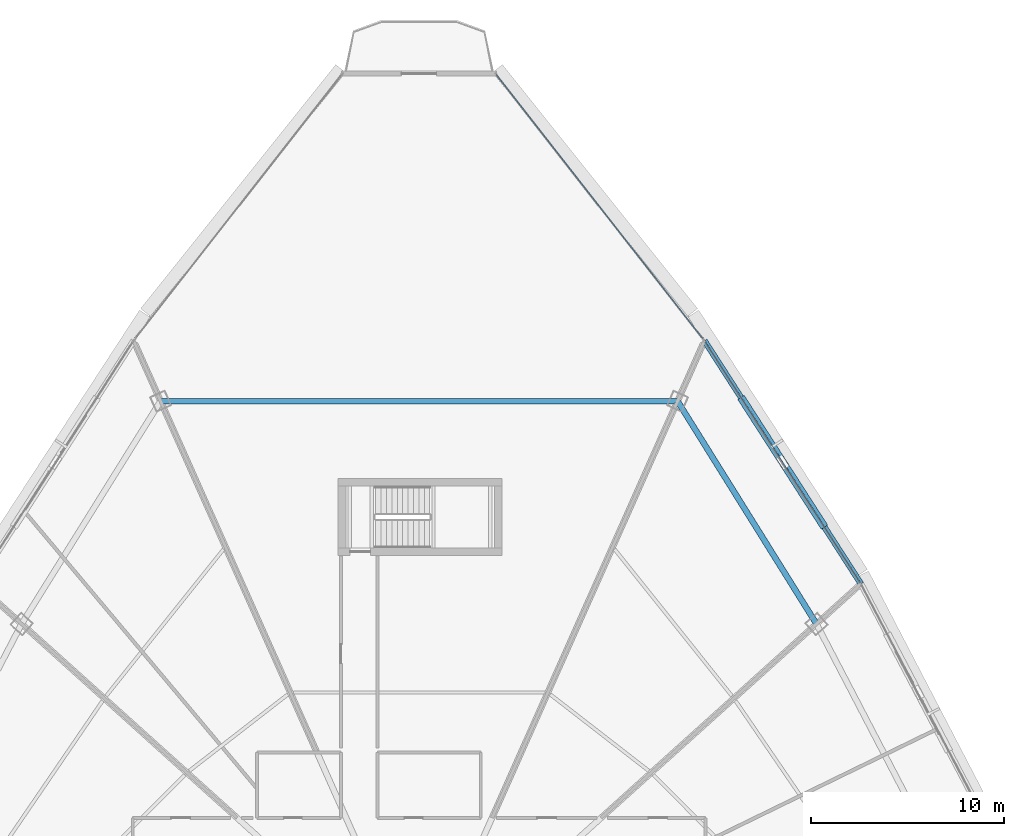
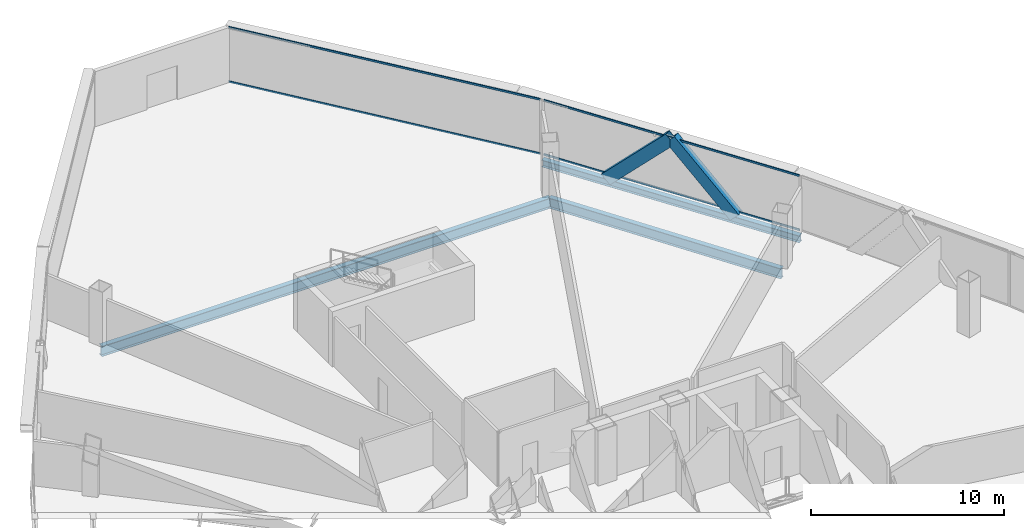
# One storey, part 19 of 34: 6 members, 3 beams, 2 elements without a shape of their own.
"""IFC4 building model written with IfcOpenShell, lengths in metres."""

from ifc_helpers import new_model, si_unit, direction, frame, origin, origin_2d, place, context, subcontext, project, spatial, hollow_rectangle, i_section, extrude, source, transform, mapped, material, layer, layer_set, material_profile, profile_set, type_object, element, aggregate, save


model = new_model("IFC4")

# Units and contexts
model_context = context("Model", 3, precision=1e-05, world=origin(), true_north=direction((0.0, 1.0)))
body_context = subcontext(model_context, "Body", "Model", "MODEL_VIEW")
ifc_project = project(units=[si_unit("LENGTHUNIT", "METRE"), si_unit("AREAUNIT", "SQUARE_METRE"), si_unit("VOLUMEUNIT", "CUBIC_METRE"), si_unit("PLANEANGLEUNIT", "RADIAN"), si_unit("MASSUNIT", "GRAM", prefix="KILO"), si_unit("THERMODYNAMICTEMPERATUREUNIT", "KELVIN"), si_unit("POWERUNIT", "WATT")], contexts=[model_context])

# Site, building, storey
site_placement = place(None, origin())
site = spatial("IfcSite", under=ifc_project, at=site_placement, CompositionType="ELEMENT")
building_placement = place(site_placement, origin())
building = spatial("IfcBuilding", under=site, at=building_placement, Name="Yunzhuo Pagoda Commons", CompositionType="ELEMENT")
storey_placement = place(building_placement, frame((0.0, 0.0, 229.610107421875)))
storey = spatial("IfcBuildingStorey", under=building, at=storey_placement, Name="L57", CompositionType="ELEMENT", Elevation=229.610107421875)

# Beams
ifc_material_1 = material(Name="Structural steel Q355B", Category="steel")
ifc_material_profile_1 = material_profile(ifc_material_1, i_section(OverallWidth=0.300048828125, OverallDepth=0.43994140625, WebThickness=0.010986328125, FlangeThickness=0.01806640625, at=origin_2d()), Name="Structural steel Q355B")
ifc_profile_set_1 = profile_set([ifc_material_profile_1], Name="Structural steel Q355B")
beam_type_1 = type_object("IfcBeamType", Name="B-SP2 Beam HM 440x300x11x18", PredefinedType="BEAM", material=ifc_profile_set_1)
shared_shape_1 = source(origin(), body_context, "Body", "SweptSolid", [
    extrude(i_section(OverallWidth=0.300048828125, OverallDepth=0.43994140625, WebThickness=0.010986328125, FlangeThickness=0.01806640625, at=origin_2d()), origin(), (0.0, 0.0, 1.0), 14.996826171875),
])
beam_1_placement = place(storey_placement, frame((70.92138671875, 54.33837890625, -0.480224609375), z_axis=(-0.541322723021, 0.840814908015, 0.0), x_axis=(-0.840814908015, -0.541322723021, 0.0)))
element("IfcBeam", 1, at=beam_1_placement, inside=storey, type_object=beam_type_1, Name="L57 facade edge spandrel beam F2.3", PredefinedType="BEAM", context=body_context, shape_type="MappedRepresentation", body=[
    mapped(shared_shape_1, transform((0.0, 0.0, 0.0), scale=1.0)),
])
ifc_material_profile_2 = material_profile(ifc_material_1, i_section(OverallWidth=0.300048828125, OverallDepth=0.64990234375, WebThickness=0.012939453125, FlangeThickness=0.02197265625, at=origin_2d()), Name="Structural steel Q355B")
ifc_profile_set_2 = profile_set([ifc_material_profile_2], Name="Structural steel Q355B")
beam_type_2 = type_object("IfcBeamType", Name="B-RG2 Beam HN 650x300x13x22", PredefinedType="BEAM", material=ifc_profile_set_2)
shared_shape_2 = source(origin(), body_context, "Body", "SweptSolid", [
    extrude(i_section(OverallWidth=0.300048828125, OverallDepth=0.64990234375, WebThickness=0.012939453125, FlangeThickness=0.02197265625, at=origin_2d()), origin(), (0.0, 0.0, 1.0), 13.615478515625),
])
beam_2_placement = place(storey_placement, frame((68.61181640625, 52.259033203125, -0.585205078125), z_axis=(-0.529178300485, 0.848510651846, 0.0), x_axis=(-0.848510651846, -0.529178300485, 0.0)))
element("IfcBeam", 2, at=beam_2_placement, inside=storey, type_object=beam_type_2, Name="L57 column-ring beam 7", PredefinedType="BEAM", context=body_context, shape_type="MappedRepresentation", body=[
    mapped(shared_shape_2, transform((0.0, 0.0, 0.0), scale=1.0)),
])
shared_shape_3 = source(origin(), body_context, "Body", "SweptSolid", [
    extrude(i_section(OverallWidth=0.300048828125, OverallDepth=0.64990234375, WebThickness=0.012939453125, FlangeThickness=0.02197265625, at=origin_2d()), origin(), (0.0, 0.0, 1.0), 26.8134765625),
])
beam_3_placement = place(storey_placement, frame((61.40673828125, 63.81201171875, -0.585205078125), z_axis=(-1.0, 0.0, 0.0), x_axis=(0.0, -1.0, 0.0)))
element("IfcBeam", 3, at=beam_3_placement, inside=storey, type_object=beam_type_2, Name="L57 column-ring beam 8", PredefinedType="BEAM", context=body_context, shape_type="MappedRepresentation", body=[
    mapped(shared_shape_3, transform((0.0, 0.0, 0.0), scale=1.0)),
])

# Members
ifc_material_profile_3 = material_profile(ifc_material_1, hollow_rectangle(XDim=0.39990234375, YDim=0.719970703125, WallThickness=0.02392578125, at=origin_2d()), Name="Structural steel Q355B")
ifc_profile_set_3 = profile_set([ifc_material_profile_3], Name="Structural steel Q355B")
member_type_1 = type_object("IfcMemberType", Name="M-DL2 Brace BOX 720x400x24", PredefinedType="BRACE", material=ifc_profile_set_3)
shared_shape_4 = source(origin(), body_context, "Body", "SweptSolid", [
    extrude(hollow_rectangle(XDim=0.39990234375, YDim=0.719970703125, WallThickness=0.02392578125, at=origin_2d()), origin(), (0.0, 0.0, 1.0), 5.288818359375),
])
member_1_placement = place(storey_placement, frame((68.891845703125, 57.490966796875, -0.260009765625), z_axis=(-0.383748711328, 0.596096127677, 0.705270397169), x_axis=(-0.840829218209, -0.541300494925, 0.0)))
element("IfcMember", 4, at=member_1_placement, inside=storey, type_object=member_type_1, Name="L57 facade diamond brace F2.3L", PredefinedType="BRACE", context=body_context, shape_type="MappedRepresentation", body=[
    mapped(shared_shape_4, transform((0.0, 0.0, 0.0), scale=1.0)),
])
shared_shape_5 = source(origin(), body_context, "Body", "SweptSolid", [
    extrude(hollow_rectangle(XDim=0.39990234375, YDim=0.719970703125, WallThickness=0.02392578125, at=origin_2d()), origin(), (0.0, 0.0, 1.0), 5.288330078125),
])
member_2_placement = place(storey_placement, frame((64.832763671875, 63.795654296875, -0.260009765625), z_axis=(0.383769830875, -0.596036603684, 0.705309211609), x_axis=(0.840791053775, 0.541359773064, 0.0)))
element("IfcMember", 5, at=member_2_placement, inside=storey, type_object=member_type_1, Name="L57 facade diamond brace F2.3R", PredefinedType="BRACE", context=body_context, shape_type="MappedRepresentation", body=[
    mapped(shared_shape_5, transform((0.0, 0.0, 0.0), scale=1.0)),
])

# Curtain wall, members
ifc_material_2 = material(Name="Anodized aluminium 6063-T6", Category="aluminium")
ifc_layer = layer(ifc_material_2, 0.139892578125)
ifc_layer_set = layer_set([ifc_layer], Name="Anodized aluminium 6063-T6")
curtain_wall_type = type_object("IfcCurtainWallType", Name="CW-HI High-Zone Ribbon Curtain Wall", PredefinedType="NOTDEFINED", material=ifc_layer_set)
curtain_wall_1_placement = place(storey_placement, origin())
curtain_wall_1 = element("IfcCurtainWall", 6, at=curtain_wall_1_placement, inside=storey, type_object=curtain_wall_type, Name="L57 curtain wall CW-L57-F2B4", PredefinedType="NOTDEFINED")
ifc_material_profile_4 = material_profile(ifc_material_2, hollow_rectangle(XDim=0.054931640625, YDim=0.1201171875, WallThickness=0.00341796875, at=origin_2d()), Name="Anodized aluminium 6063-T6")
ifc_profile_set_4 = profile_set([ifc_material_profile_4], Name="Anodized aluminium 6063-T6")
member_type_2 = type_object("IfcMemberType", Name="CW-HI-T Transom RHS 120x55x3.5", PredefinedType="USERDEFINED", material=ifc_profile_set_4)
shared_shape_6 = source(origin(), body_context, "Body", "SweptSolid", [
    extrude(hollow_rectangle(XDim=0.054931640625, YDim=0.1201171875, WallThickness=0.00341796875, at=origin_2d()), origin(), (0.0, 0.0, 1.0), 14.877197265625),
])
member_3_placement = place(storey_placement, frame((70.888916015625, 54.388916015625, 0.02734375), z_axis=(-0.541333076232, 0.840808242453, 0.0), x_axis=(-0.840808242453, -0.541333076232, 0.0)))
member_3 = element("IfcMember", 7, at=member_3_placement, type_object=member_type_2, Name="CW transom 1.1", ObjectType="TRANSOM", PredefinedType="USERDEFINED", context=body_context, shape_type="MappedRepresentation", body=[
    mapped(shared_shape_6, transform((0.0, 0.0, 0.0), scale=1.0)),
])
member_4_placement = place(storey_placement, frame((70.888916015625, 54.388916015625, 3.4423828125), z_axis=(-0.541333076232, 0.840808242453, 0.0), x_axis=(-0.840808242453, -0.541333076232, 0.0)))
member_4 = element("IfcMember", 8, at=member_4_placement, type_object=member_type_2, Name="CW transom 1.2", ObjectType="TRANSOM", PredefinedType="USERDEFINED", context=body_context, shape_type="MappedRepresentation", body=[
    mapped(shared_shape_6, transform((0.0, 0.0, 0.0), scale=1.0)),
])
aggregate(curtain_wall_1, [member_3, member_4])

curtain_wall_2_placement = place(storey_placement, origin())
curtain_wall_2 = element("IfcCurtainWall", 9, at=curtain_wall_2_placement, inside=storey, type_object=curtain_wall_type, Name="L57 curtain wall CW-L57-F2B5", PredefinedType="NOTDEFINED")
shared_shape_7 = source(origin(), body_context, "Body", "SweptSolid", [
    extrude(hollow_rectangle(XDim=0.054931640625, YDim=0.1201171875, WallThickness=0.00341796875, at=origin_2d()), origin(), (0.0, 0.0, 1.0), 17.393798828125),
])
member_5_placement = place(storey_placement, frame((62.7197265625, 67.054443359375, 0.02734375), z_axis=(-0.616126582862, 0.787647150627, 0.0), x_axis=(-0.787647150627, -0.616126582862, 0.0)))
member_5 = element("IfcMember", 10, at=member_5_placement, type_object=member_type_2, Name="CW transom 1.1", ObjectType="TRANSOM", PredefinedType="USERDEFINED", context=body_context, shape_type="MappedRepresentation", body=[
    mapped(shared_shape_7, transform((0.0, 0.0, 0.0), scale=1.0)),
])
member_6_placement = place(storey_placement, frame((62.7197265625, 67.054443359375, 3.4423828125), z_axis=(-0.616126582862, 0.787647150627, 0.0), x_axis=(-0.787647150627, -0.616126582862, 0.0)))
member_6 = element("IfcMember", 11, at=member_6_placement, type_object=member_type_2, Name="CW transom 1.2", ObjectType="TRANSOM", PredefinedType="USERDEFINED", context=body_context, shape_type="MappedRepresentation", body=[
    mapped(shared_shape_7, transform((0.0, 0.0, 0.0), scale=1.0)),
])
aggregate(curtain_wall_2, [member_5, member_6])

save(model, "model.ifc")
